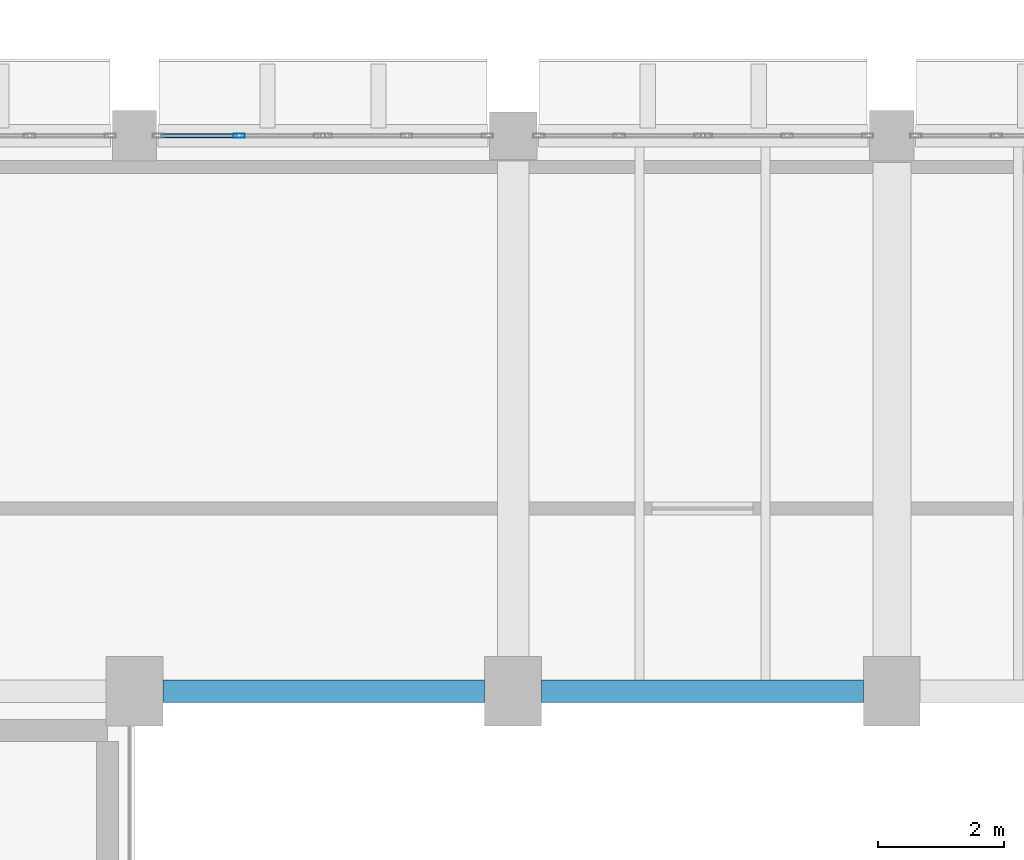
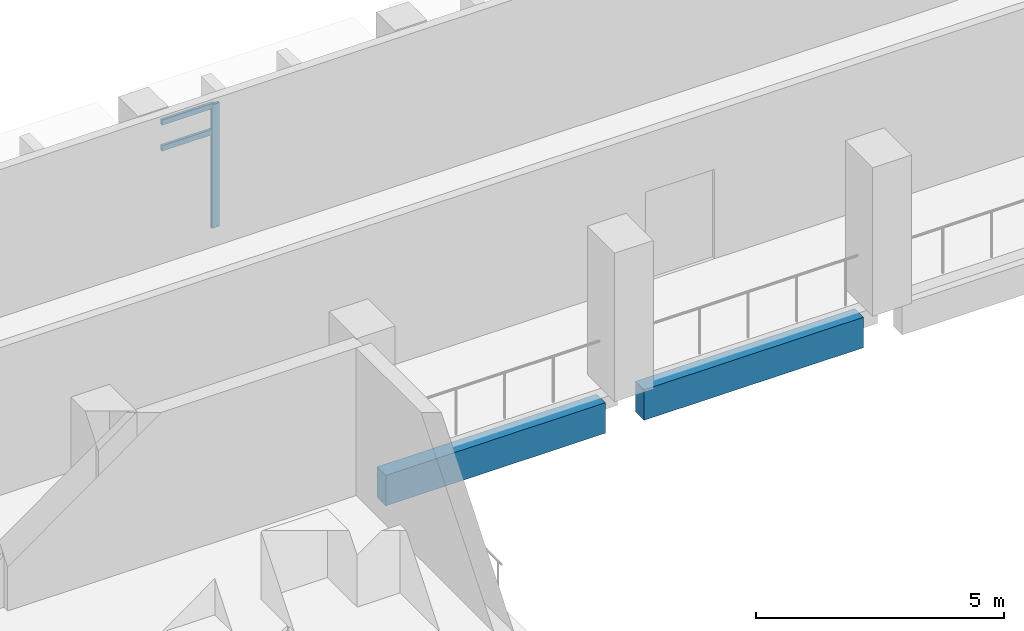
# One storey, part 36 of 80: 3 members, 2 beams, 1 element without a shape of its own.
"""IFC4 building model written with IfcOpenShell, lengths in metres."""

from ifc_helpers import new_model, si_unit, direction, frame, origin, origin_2d, place, context, subcontext, project, spatial, rectangle, hollow_rectangle, extrude, material, material_profile, profile_set, type_object, element, aggregate, save


model = new_model("IFC4")

# Units and contexts
model_context = context("Model", 3, precision=1e-05, world=origin(), true_north=direction((0.0, 1.0)))
body_context = subcontext(model_context, "Body", "Model", "MODEL_VIEW")
ifc_project = project(units=[si_unit("LENGTHUNIT", "METRE"), si_unit("AREAUNIT", "SQUARE_METRE"), si_unit("VOLUMEUNIT", "CUBIC_METRE"), si_unit("PLANEANGLEUNIT", "RADIAN"), si_unit("MASSUNIT", "GRAM", prefix="KILO")], contexts=[model_context])

# Site, building, storey
site_placement = place(None, origin())
site = spatial("IfcSite", under=ifc_project, at=site_placement, CompositionType="ELEMENT")
building_placement = place(site_placement, origin())
building = spatial("IfcBuilding", under=site, at=building_placement, Name="Varnakota Cinema and Media Centre", CompositionType="ELEMENT")
storey_placement = place(building_placement, frame((0.0, 0.0, 4.5)))
storey = spatial("IfcBuildingStorey", under=building, at=storey_placement, Name="L01", CompositionType="ELEMENT", Elevation=4.5)

# Beams
ifc_material_1 = material(Name="Concrete M40", Category="concrete")
ifc_material_profile_1 = material_profile(ifc_material_1, rectangle(XDim=0.35009765625, YDim=0.75, at=origin_2d()), Name="RCB 350x750")
ifc_profile_set_1 = profile_set([ifc_material_profile_1], Name="Concrete M40")
beam_type = type_object("IfcBeamType", Name="BM-SP-350x750", PredefinedType="SPANDREL", material=ifc_profile_set_1)
for number, where, z_axis, x_axis, name in (
    (1, (93.449951171875, 35.199951171875, -0.625), (1.0, 0.0, 0.0), (0.0, 1.0, 0.0), "L01 girder N-P/5"),
    (2, (99.449951171875, 35.199951171875, -0.625), (1.0, 0.0, 0.0), (0.0, 1.0, 0.0), "L01 girder P-Q/5"),
):
    element("IfcBeam", number, at=place(storey_placement, frame(where, z_axis=z_axis, x_axis=x_axis)), inside=storey, type_object=beam_type, Name=name, PredefinedType="SPANDREL", context=body_context, shape_type="SweptSolid", body=[
        extrude(rectangle(XDim=0.35009765625, YDim=0.75, at=origin_2d()), origin(), (0.0, 0.0, 1.0), 5.10009765625),
    ])

# Curtain wall, members
ifc_material_2 = material(Name="Thermally broken anodised aluminium AW-6063", Category="aluminium")
curtain_wall_type = type_object("IfcCurtainWallType", Name="CW-STD-262x304", PredefinedType="USERDEFINED", material=ifc_material_2)
curtain_wall_placement = place(storey_placement, origin())
curtain_wall = element("IfcCurtainWall", 3, at=curtain_wall_placement, inside=storey, type_object=curtain_wall_type, Name="L01 curtain wall CW-L01-V1-N-04-1", ObjectType="UNITISED CURTAIN WALL", PredefinedType="USERDEFINED")
ifc_material_3 = material(Name="Thermally broken anodised aluminium AW-6063", Category="aluminium")
ifc_material_profile_2 = material_profile(ifc_material_3, hollow_rectangle(XDim=0.06494140625, YDim=0.179931640625, WallThickness=0.00390625, InnerFilletRadius=0.00390625, OuterFilletRadius=0.008056640625, at=origin_2d()), Name="AL-MULLION 180x65x4")
ifc_profile_set_2 = profile_set([ifc_material_profile_2], Name="Thermally broken anodised aluminium AW-6063")
member_type_1 = type_object("IfcMemberType", Name="CWM-AL-180", PredefinedType="MULLION", material=ifc_profile_set_2)
member_1_placement = place(storey_placement, frame((94.65869140625, 44.0, 0.0), z_axis=(0.0, 0.0, 1.0), x_axis=(0.0, 1.0, 0.0)))
member_1 = element("IfcMember", 4, at=member_1_placement, type_object=member_type_1, Name="CW17 mullion 2", PredefinedType="MULLION", context=body_context, shape_type="SweptSolid", body=[
    extrude(hollow_rectangle(XDim=0.06494140625, YDim=0.179931640625, WallThickness=0.00390625, InnerFilletRadius=0.00390625, OuterFilletRadius=0.008056640625, at=origin_2d()), origin(), (0.0, 0.0, 1.0), 3.034912109375),
])
ifc_material_4 = material(Name="Thermally broken anodised aluminium AW-6063", Category="aluminium")
ifc_material_profile_3 = material_profile(ifc_material_4, hollow_rectangle(XDim=0.06494140625, YDim=0.139892578125, WallThickness=0.00390625, InnerFilletRadius=0.00390625, OuterFilletRadius=0.008056640625, at=origin_2d()), Name="AL-TRANSOM 140x65x4")
ifc_profile_set_3 = profile_set([ifc_material_profile_3], Name="Thermally broken anodised aluminium AW-6063")
member_type_2 = type_object("IfcMemberType", Name="CWT-AL-140", PredefinedType="USERDEFINED", material=ifc_profile_set_3)
member_2_placement = place(storey_placement, frame((93.4150390625, 44.0, 2.3671875), z_axis=(1.0, 0.0, 0.0), x_axis=(0.0, 1.0, 0.0)))
member_2 = element("IfcMember", 5, at=member_2_placement, type_object=member_type_2, Name="CW17 transom 1.3", ObjectType="TRANSOM", PredefinedType="USERDEFINED", context=body_context, shape_type="SweptSolid", body=[
    extrude(hollow_rectangle(XDim=0.06494140625, YDim=0.139892578125, WallThickness=0.00390625, InnerFilletRadius=0.00390625, OuterFilletRadius=0.008056640625, at=origin_2d()), origin(), (0.0, 0.0, 1.0), 1.211181640625),
])
member_3_placement = place(storey_placement, frame((93.4150390625, 44.0, 3.00244140625), z_axis=(1.0, 0.0, 0.0), x_axis=(0.0, 1.0, 0.0)))
member_3 = element("IfcMember", 6, at=member_3_placement, type_object=member_type_2, Name="CW17 transom 1.4", ObjectType="TRANSOM", PredefinedType="USERDEFINED", context=body_context, shape_type="SweptSolid", body=[
    extrude(hollow_rectangle(XDim=0.06494140625, YDim=0.139892578125, WallThickness=0.00390625, InnerFilletRadius=0.00390625, OuterFilletRadius=0.008056640625, at=origin_2d()), origin(), (0.0, 0.0, 1.0), 1.211181640625),
])
aggregate(curtain_wall, [member_1, member_2, member_3])

save(model, "model.ifc")
